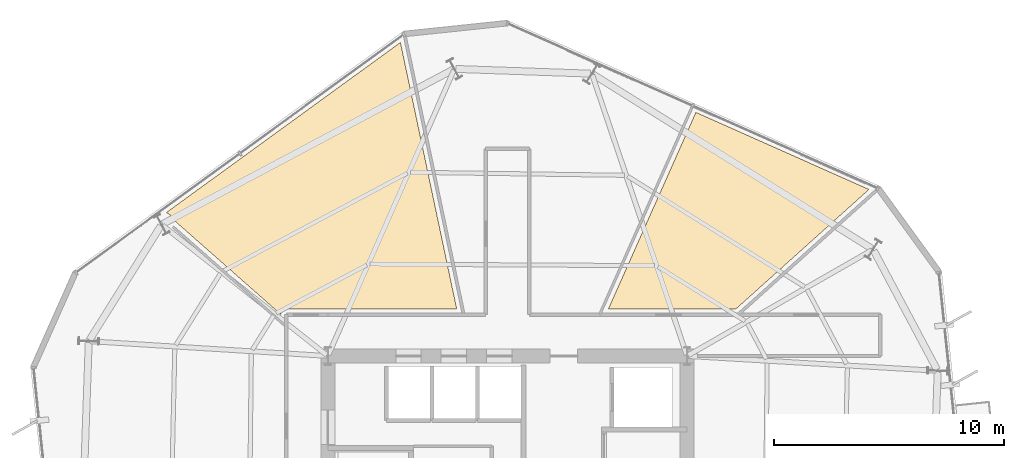
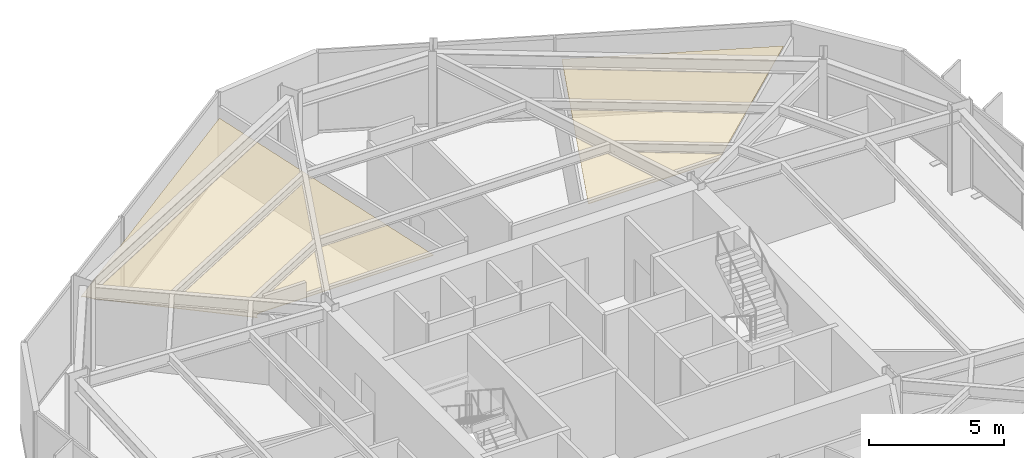
# One storey, part 12 of 12: 2 coverings.
"""IFC4 building model written with IfcOpenShell, lengths in metres."""

import ifcopenshell
import ifcopenshell.guid

model = None  # the IFC model being written
_history = None  # IfcOwnerHistory: only IFC2X3 demands one
_inside = {}  # id of a spatial element -> (the spatial element, [elements in it])
_under = {}  # id of a project, library or spatial element -> (it, [spatial elements below it])
_declared = {}  # id of a project -> (the project, [libraries it declares])
_typed = {}  # id of a type object -> (the type object, [elements of that type])
_made_of = {}  # id of a material, layer set ... -> (it, [elements and type objects made of it])


def new_model(schema):
    """Start an empty IFC model of exactly this schema.

    Asked for "IFC4X3", IfcOpenShell would pick the latest addendum, in which some entities
    have other attributes; the version numbers below select the first issue.
    IFC2X3 requires an IfcOwnerHistory on every rooted entity: one is made here for all.
    """
    global model, _history
    if schema == "IFC4X3":
        model = ifcopenshell.file(schema_version=(4, 3, 0, 0))
    else:
        model = ifcopenshell.file(schema=schema)
    _inside.clear()
    _under.clear()
    _declared.clear()
    _typed.clear()
    _made_of.clear()
    _history = None
    if model.schema == "IFC2X3":
        org = make("IfcOrganization", Name="unknown")
        user = make(
            "IfcPersonAndOrganization",
            ThePerson=make("IfcPerson", FamilyName="unknown"),
            TheOrganization=org,
        )
        app = make(
            "IfcApplication",
            ApplicationDeveloper=org,
            Version="unknown",
            ApplicationFullName="unknown",
            ApplicationIdentifier="unknown",
        )
        _history = make(
            "IfcOwnerHistory",
            OwningUser=user,
            OwningApplication=app,
            ChangeAction="ADDED",
            CreationDate=0,
        )
    return model


def make(cls, **values):
    """One entity of the class cls with the attributes given. An attribute that is None is left unset."""
    return model.create_entity(
        cls, **{name: value for name, value in values.items() if value is not None}
    )


def rooted(cls, **values):
    """An entity with a GlobalId (a new one), such as an element, a storey or a relation."""
    return make(cls, GlobalId=ifcopenshell.guid.new(), OwnerHistory=_history, **values)


def si_unit(unit_type, name, prefix=None):
    """IfcSIUnit, for example si_unit("LENGTHUNIT", "METRE", prefix="MILLI")."""
    return make("IfcSIUnit", UnitType=unit_type, Prefix=prefix, Name=name)


def assignment(units):
    """IfcUnitAssignment: the units of a project."""
    return None if units is None else make("IfcUnitAssignment", Units=units)


def point(xyz):
    """IfcCartesianPoint."""
    return None if xyz is None else make("IfcCartesianPoint", Coordinates=xyz)


def direction(xyz):
    """IfcDirection."""
    return None if xyz is None else make("IfcDirection", DirectionRatios=xyz)


def frame(location, z_axis=None, x_axis=None):
    """IfcAxis2Placement3D, a coordinate frame: its origin and axes. An axis left out is left unset."""
    return make(
        "IfcAxis2Placement3D",
        Location=point(location),
        Axis=direction(z_axis),
        RefDirection=direction(x_axis),
    )


def origin():
    """The frame at (0, 0, 0) with its axes left unset."""
    return frame((0.0, 0.0, 0.0))


def place(relative_to, where):
    """IfcLocalPlacement: puts the frame where relative to a parent placement (None: the world)."""
    return make(
        "IfcLocalPlacement", PlacementRelTo=relative_to, RelativePlacement=where
    )


def context(
    kind, dimensions, precision=None, world=None, true_north=None, identifier=None
):
    """IfcGeometricRepresentationContext, for example the 3D "Model" context."""
    return make(
        "IfcGeometricRepresentationContext",
        ContextIdentifier=identifier,
        ContextType=kind,
        CoordinateSpaceDimension=dimensions,
        Precision=precision,
        WorldCoordinateSystem=world,
        TrueNorth=true_north,
    )


def subcontext(parent, identifier, kind, view, scale=None):
    """IfcGeometricRepresentationSubContext, for example "Body" below "Model"."""
    return make(
        "IfcGeometricRepresentationSubContext",
        ContextIdentifier=identifier,
        ContextType=kind,
        ParentContext=parent,
        TargetScale=scale,
        TargetView=view,
    )


def project(units=None, contexts=None):
    """IfcProject with its units and contexts."""
    return rooted(
        "IfcProject",
        Name="project",
        RepresentationContexts=contexts,
        UnitsInContext=assignment(units),
    )


def spatial(cls, under=None, at=None, **own):
    """A site, building, storey or space (cls), placed at a placement, below another one or the project."""
    s = rooted(cls, ObjectPlacement=at, **own)
    if under is not None:
        _under.setdefault(under.id(), (under, []))[1].append(s)
    return s


def polyline(points):
    """IfcPolyline through the points."""
    return make("IfcPolyline", Points=[point(p) for p in points])


def outline(outer, holes=None, kind="AREA"):
    """IfcArbitraryClosedProfileDef: a profile drawn as a closed curve; with holes, ...WithVoids."""
    if holes is None:
        return make("IfcArbitraryClosedProfileDef", ProfileType=kind, OuterCurve=outer)
    return make(
        "IfcArbitraryProfileDefWithVoids",
        ProfileType=kind,
        OuterCurve=outer,
        InnerCurves=holes,
    )


def extrude(swept, where, along, depth):
    """IfcExtrudedAreaSolid: the profile swept, set in the frame where, extruded along a direction by depth."""
    return make(
        "IfcExtrudedAreaSolid",
        SweptArea=swept,
        Position=where,
        ExtrudedDirection=direction(along),
        Depth=depth,
    )


def shape(context_of_items, identifier, shape_type, items):
    """IfcShapeRepresentation: the items that make up one representation, for example the "Body"."""
    return make(
        "IfcShapeRepresentation",
        ContextOfItems=context_of_items,
        RepresentationIdentifier=identifier,
        RepresentationType=shape_type,
        Items=items,
    )


def material(Name=None, Category=None):
    """IfcMaterial."""
    return make("IfcMaterial", Name=Name, Category=Category)


def layer(
    of_material, thickness, ventilated=None, Name=None, Category=None, Priority=None
):
    """IfcMaterialLayer: one layer of a wall or slab, of a material (None: an air gap)."""
    return make(
        "IfcMaterialLayer",
        Material=of_material,
        LayerThickness=thickness,
        IsVentilated=ventilated,
        Name=Name,
        Category=Category,
        Priority=Priority,
    )


def layer_set(layers, Name=None):
    """IfcMaterialLayerSet."""
    return make("IfcMaterialLayerSet", MaterialLayers=layers, LayerSetName=Name)


def made_of(thing, what):
    """Note that an element or type object is made of a material, layer set ...; save() writes the relation."""
    if what is not None:
        _made_of.setdefault(what.id(), (what, []))[1].append(thing)
    return thing


def type_object(cls, material=None, **own):
    """A type object (cls), such as IfcWallType, which elements share."""
    return made_of(rooted(cls, **own), material)


def element(
    cls,
    number,
    at=None,
    inside=None,
    cuts=None,
    type_object=None,
    material=None,
    context=None,
    identifier="Body",
    shape_type=None,
    held_by="IfcProductDefinitionShape",
    body=None,
    shapes=None,
    **own,
):
    """One element of the class cls, such as IfcWall. Its Tag is "e" and its number.

    at: its placement. inside: the storey or other place that contains it. cuts: it is an
    opening in that element (IfcRelVoidsElement). A single representation is given by context,
    identifier, shape_type and body (its items); several are given by shapes. held_by: the class
    of the entity that holds the representations. save() writes the other relations.
    """
    e = rooted(cls, Tag="e%d" % number, ObjectPlacement=at, **own)
    if body is not None:
        shapes = [shape(context, identifier, shape_type, body)]
    if shapes is not None:
        e.Representation = make(held_by, Representations=shapes)
    if inside is not None:
        _inside.setdefault(inside.id(), (inside, []))[1].append(e)
    if cuts is not None:
        rooted(
            "IfcRelVoidsElement", RelatingBuildingElement=cuts, RelatedOpeningElement=e
        )
    if type_object is not None:
        _typed.setdefault(type_object.id(), (type_object, []))[1].append(e)
    return made_of(e, material)


def aggregate(whole, parts):
    """IfcRelAggregates: a whole, such as a stair, and the parts it consists of."""
    return rooted("IfcRelAggregates", RelatingObject=whole, RelatedObjects=parts)


def save(model, path):
    """Write the relations noted so far, then the file.

    IfcRelAggregates (storeys below a building ...), IfcRelContainedInSpatialStructure (elements
    in a storey), IfcRelDefinesByType, IfcRelAssociatesMaterial and IfcRelDeclares: one each for
    every whole, place, type object, material and project.
    """
    for whole, parts in _under.values():
        aggregate(whole, parts)
    for where, things in _inside.values():
        rooted(
            "IfcRelContainedInSpatialStructure",
            RelatedElements=things,
            RelatingStructure=where,
        )
    for kind, things in _typed.values():
        rooted("IfcRelDefinesByType", RelatedObjects=things, RelatingType=kind)
    for what, things in _made_of.values():
        rooted("IfcRelAssociatesMaterial", RelatedObjects=things, RelatingMaterial=what)
    for by, libraries in _declared.values():
        rooted("IfcRelDeclares", RelatingContext=by, RelatedDefinitions=libraries)
    model.write(path)


model = new_model("IFC4")

# Units and contexts
model_context = context("Model", 3, precision=1e-05, world=origin(), true_north=direction((0.0, 1.0)))
body_context = subcontext(model_context, "Body", "Model", "MODEL_VIEW")
ifc_project = project(units=[si_unit("LENGTHUNIT", "METRE"), si_unit("AREAUNIT", "SQUARE_METRE"), si_unit("VOLUMEUNIT", "CUBIC_METRE"), si_unit("PLANEANGLEUNIT", "RADIAN"), si_unit("MASSUNIT", "GRAM", prefix="KILO")], contexts=[model_context])

# Site, building, storey
site_placement = place(None, origin())
site = spatial("IfcSite", under=ifc_project, at=site_placement, CompositionType="ELEMENT")
building_placement = place(site_placement, origin())
building = spatial("IfcBuilding", under=site, at=building_placement, Name="Kranzbogen Civic Tower", CompositionType="ELEMENT")
storey_placement = place(building_placement, frame((0.0, 0.0, 166.39990234375)))
storey = spatial("IfcBuildingStorey", under=building, at=storey_placement, Name="L40", CompositionType="ELEMENT", Elevation=166.39990234375)

# Coverings
ifc_material = material(Name="Perforated Acoustic Gypsum Ceiling")
ifc_layer = layer(ifc_material, 0.02490234375, Name="Perforated Acoustic Gypsum Ceiling")
ifc_layer_set = layer_set([ifc_layer], Name="Perforated Acoustic Gypsum Ceiling")
covering_type = type_object("IfcCoveringType", Name="Perforated Acoustic Mineral Ceiling Tile 25 mm", PredefinedType="CEILING", material=ifc_layer_set)
covering_1_placement = place(storey_placement, frame((0.0, 0.0, 2.75)))
element("IfcCovering", 1, at=covering_1_placement, inside=storey, type_object=covering_type, Name="L40 Protocol Dining Room acoustic ceiling", PredefinedType="CEILING", context=body_context, shape_type="SweptSolid", body=[
    extrude(outline(polyline([(34.927978515625, 34.2451171875), (29.385009765625, 34.2451171875), (33.18603515625, 42.782958984375), (40.70703125, 39.43408203125), (34.927978515625, 34.2451171875)])), origin(), (0.0, 0.0, 1.0), 0.025146484375),
])
covering_2_placement = place(storey_placement, frame((0.0, 0.0, 2.75)))
element("IfcCovering", 2, at=covering_2_placement, inside=storey, type_object=covering_type, Name="L40 Public Delegation Reception acoustic ceiling", PredefinedType="CEILING", context=body_context, shape_type="SweptSolid", body=[
    extrude(outline(polyline([(10.487060546875, 38.125), (10.466064453125, 38.1689453125), (10.43798828125, 38.216064453125), (10.406005859375, 38.260009765625), (10.368896484375, 38.300048828125), (10.3291015625, 38.3369140625), (10.284912109375, 38.368896484375), (10.238037109375, 38.39697265625), (10.18896484375, 38.419921875), (10.175048828125, 38.425048828125), (20.35205078125, 45.820068359375), (22.797119140625, 34.2451171875), (15.39990234375, 34.2451171875), (15.39111328125, 34.2451171875), (15.385009765625, 34.243896484375), (15.366943359375, 34.242919921875), (15.361083984375, 34.241943359375), (15.343994140625, 34.238037109375), (15.3369140625, 34.237060546875), (15.320068359375, 34.23193359375), (15.31396484375, 34.22998046875), (15.298095703125, 34.222900390625), (15.2919921875, 34.219970703125), (15.277099609375, 34.2119140625), (15.27099609375, 34.2080078125), (15.257080078125, 34.198974609375), (15.251953125, 34.195068359375), (15.238037109375, 34.18408203125), (15.23291015625, 34.178955078125), (15.220947265625, 34.1669921875), (15.216064453125, 34.162109375), (15.205078125, 34.14794921875), (15.200927734375, 34.14306640625), (15.19189453125, 34.12890625), (15.18798828125, 34.123046875), (15.179931640625, 34.10791015625), (15.177001953125, 34.10205078125), (15.169921875, 34.0859375), (15.16796875, 34.080078125), (15.1630859375, 34.06298828125), (15.162109375, 34.055908203125), (15.157958984375, 34.0390625), (15.156982421875, 34.032958984375), (15.156005859375, 34.014892578125), (15.155029296875, 34.009033203125), (15.155029296875, 34.008056640625), (10.487060546875, 38.125)])), origin(), (0.0, 0.0, 1.0), 0.025146484375),
])

save(model, "model.ifc")
